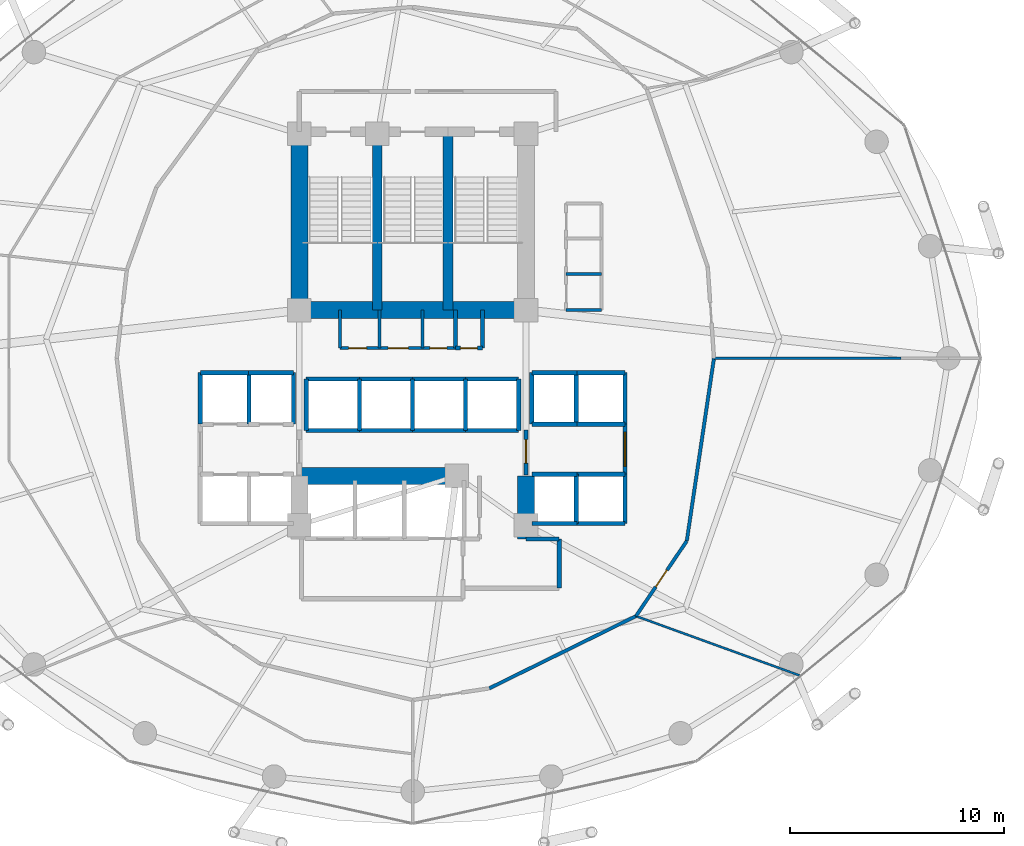
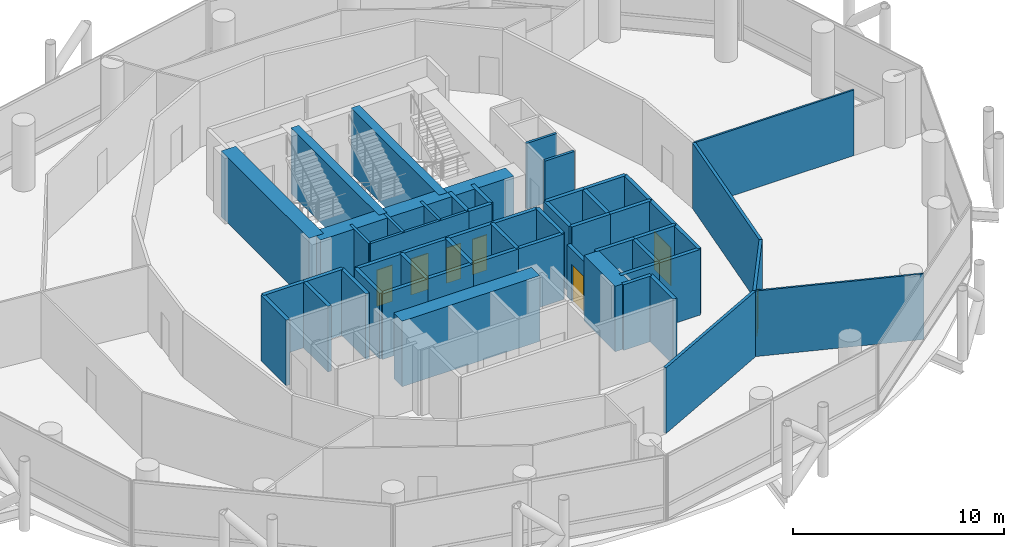
# One storey, part 22 of 25: 55 walls, 7 doors, 7 openings.
"""IFC4 building model written with IfcOpenShell, lengths in metres."""

import ifcopenshell
import ifcopenshell.guid

model = None  # the IFC model being written
_history = None  # IfcOwnerHistory: only IFC2X3 demands one
_inside = {}  # id of a spatial element -> (the spatial element, [elements in it])
_under = {}  # id of a project, library or spatial element -> (it, [spatial elements below it])
_declared = {}  # id of a project -> (the project, [libraries it declares])
_typed = {}  # id of a type object -> (the type object, [elements of that type])
_made_of = {}  # id of a material, layer set ... -> (it, [elements and type objects made of it])


def new_model(schema):
    """Start an empty IFC model of exactly this schema.

    Asked for "IFC4X3", IfcOpenShell would pick the latest addendum, in which some entities
    have other attributes; the version numbers below select the first issue.
    IFC2X3 requires an IfcOwnerHistory on every rooted entity: one is made here for all.
    """
    global model, _history
    if schema == "IFC4X3":
        model = ifcopenshell.file(schema_version=(4, 3, 0, 0))
    else:
        model = ifcopenshell.file(schema=schema)
    _inside.clear()
    _under.clear()
    _declared.clear()
    _typed.clear()
    _made_of.clear()
    _history = None
    if model.schema == "IFC2X3":
        org = make("IfcOrganization", Name="unknown")
        user = make(
            "IfcPersonAndOrganization",
            ThePerson=make("IfcPerson", FamilyName="unknown"),
            TheOrganization=org,
        )
        app = make(
            "IfcApplication",
            ApplicationDeveloper=org,
            Version="unknown",
            ApplicationFullName="unknown",
            ApplicationIdentifier="unknown",
        )
        _history = make(
            "IfcOwnerHistory",
            OwningUser=user,
            OwningApplication=app,
            ChangeAction="ADDED",
            CreationDate=0,
        )
    return model


def make(cls, **values):
    """One entity of the class cls with the attributes given. An attribute that is None is left unset."""
    return model.create_entity(
        cls, **{name: value for name, value in values.items() if value is not None}
    )


def rooted(cls, **values):
    """An entity with a GlobalId (a new one), such as an element, a storey or a relation."""
    return make(cls, GlobalId=ifcopenshell.guid.new(), OwnerHistory=_history, **values)


def si_unit(unit_type, name, prefix=None):
    """IfcSIUnit, for example si_unit("LENGTHUNIT", "METRE", prefix="MILLI")."""
    return make("IfcSIUnit", UnitType=unit_type, Prefix=prefix, Name=name)


def assignment(units):
    """IfcUnitAssignment: the units of a project."""
    return None if units is None else make("IfcUnitAssignment", Units=units)


def point(xyz):
    """IfcCartesianPoint."""
    return None if xyz is None else make("IfcCartesianPoint", Coordinates=xyz)


def direction(xyz):
    """IfcDirection."""
    return None if xyz is None else make("IfcDirection", DirectionRatios=xyz)


def frame(location, z_axis=None, x_axis=None):
    """IfcAxis2Placement3D, a coordinate frame: its origin and axes. An axis left out is left unset."""
    return make(
        "IfcAxis2Placement3D",
        Location=point(location),
        Axis=direction(z_axis),
        RefDirection=direction(x_axis),
    )


def frame_2d(location, x_axis=None):
    """IfcAxis2Placement2D, a coordinate frame in the plane: its origin and x axis."""
    return make(
        "IfcAxis2Placement2D", Location=point(location), RefDirection=direction(x_axis)
    )


def origin():
    """The frame at (0, 0, 0) with its axes left unset."""
    return frame((0.0, 0.0, 0.0))


def place(relative_to, where):
    """IfcLocalPlacement: puts the frame where relative to a parent placement (None: the world)."""
    return make(
        "IfcLocalPlacement", PlacementRelTo=relative_to, RelativePlacement=where
    )


def context(
    kind, dimensions, precision=None, world=None, true_north=None, identifier=None
):
    """IfcGeometricRepresentationContext, for example the 3D "Model" context."""
    return make(
        "IfcGeometricRepresentationContext",
        ContextIdentifier=identifier,
        ContextType=kind,
        CoordinateSpaceDimension=dimensions,
        Precision=precision,
        WorldCoordinateSystem=world,
        TrueNorth=true_north,
    )


def subcontext(parent, identifier, kind, view, scale=None):
    """IfcGeometricRepresentationSubContext, for example "Body" below "Model"."""
    return make(
        "IfcGeometricRepresentationSubContext",
        ContextIdentifier=identifier,
        ContextType=kind,
        ParentContext=parent,
        TargetScale=scale,
        TargetView=view,
    )


def project(units=None, contexts=None):
    """IfcProject with its units and contexts."""
    return rooted(
        "IfcProject",
        Name="project",
        RepresentationContexts=contexts,
        UnitsInContext=assignment(units),
    )


def spatial(cls, under=None, at=None, **own):
    """A site, building, storey or space (cls), placed at a placement, below another one or the project."""
    s = rooted(cls, ObjectPlacement=at, **own)
    if under is not None:
        _under.setdefault(under.id(), (under, []))[1].append(s)
    return s


def profile(cls, at=None, kind="AREA", **sizes):
    """A parametric profile (cls). Its sizes go by their IFC names, for example OverallWidth=200.0."""
    return make(cls, ProfileType=kind, Position=at, **sizes)


def rectangle(**sizes):
    """IfcRectangleProfileDef."""
    return profile("IfcRectangleProfileDef", **sizes)


def extrude(swept, where, along, depth):
    """IfcExtrudedAreaSolid: the profile swept, set in the frame where, extruded along a direction by depth."""
    return make(
        "IfcExtrudedAreaSolid",
        SweptArea=swept,
        Position=where,
        ExtrudedDirection=direction(along),
        Depth=depth,
    )


def shape(context_of_items, identifier, shape_type, items):
    """IfcShapeRepresentation: the items that make up one representation, for example the "Body"."""
    return make(
        "IfcShapeRepresentation",
        ContextOfItems=context_of_items,
        RepresentationIdentifier=identifier,
        RepresentationType=shape_type,
        Items=items,
    )


def material(Name=None, Category=None):
    """IfcMaterial."""
    return make("IfcMaterial", Name=Name, Category=Category)


def layer(
    of_material, thickness, ventilated=None, Name=None, Category=None, Priority=None
):
    """IfcMaterialLayer: one layer of a wall or slab, of a material (None: an air gap)."""
    return make(
        "IfcMaterialLayer",
        Material=of_material,
        LayerThickness=thickness,
        IsVentilated=ventilated,
        Name=Name,
        Category=Category,
        Priority=Priority,
    )


def layer_set(layers, Name=None):
    """IfcMaterialLayerSet."""
    return make("IfcMaterialLayerSet", MaterialLayers=layers, LayerSetName=Name)


def made_of(thing, what):
    """Note that an element or type object is made of a material, layer set ...; save() writes the relation."""
    if what is not None:
        _made_of.setdefault(what.id(), (what, []))[1].append(thing)
    return thing


def type_object(cls, material=None, **own):
    """A type object (cls), such as IfcWallType, which elements share."""
    return made_of(rooted(cls, **own), material)


def element(
    cls,
    number,
    at=None,
    inside=None,
    cuts=None,
    type_object=None,
    material=None,
    context=None,
    identifier="Body",
    shape_type=None,
    held_by="IfcProductDefinitionShape",
    body=None,
    shapes=None,
    **own,
):
    """One element of the class cls, such as IfcWall. Its Tag is "e" and its number.

    at: its placement. inside: the storey or other place that contains it. cuts: it is an
    opening in that element (IfcRelVoidsElement). A single representation is given by context,
    identifier, shape_type and body (its items); several are given by shapes. held_by: the class
    of the entity that holds the representations. save() writes the other relations.
    """
    e = rooted(cls, Tag="e%d" % number, ObjectPlacement=at, **own)
    if body is not None:
        shapes = [shape(context, identifier, shape_type, body)]
    if shapes is not None:
        e.Representation = make(held_by, Representations=shapes)
    if inside is not None:
        _inside.setdefault(inside.id(), (inside, []))[1].append(e)
    if cuts is not None:
        rooted(
            "IfcRelVoidsElement", RelatingBuildingElement=cuts, RelatedOpeningElement=e
        )
    if type_object is not None:
        _typed.setdefault(type_object.id(), (type_object, []))[1].append(e)
    return made_of(e, material)


def fill(opening, filler):
    """IfcRelFillsElement: the door or window that sits in an opening."""
    return rooted(
        "IfcRelFillsElement",
        RelatingOpeningElement=opening,
        RelatedBuildingElement=filler,
    )


def aggregate(whole, parts):
    """IfcRelAggregates: a whole, such as a stair, and the parts it consists of."""
    return rooted("IfcRelAggregates", RelatingObject=whole, RelatedObjects=parts)


def save(model, path):
    """Write the relations noted so far, then the file.

    IfcRelAggregates (storeys below a building ...), IfcRelContainedInSpatialStructure (elements
    in a storey), IfcRelDefinesByType, IfcRelAssociatesMaterial and IfcRelDeclares: one each for
    every whole, place, type object, material and project.
    """
    for whole, parts in _under.values():
        aggregate(whole, parts)
    for where, things in _inside.values():
        rooted(
            "IfcRelContainedInSpatialStructure",
            RelatedElements=things,
            RelatingStructure=where,
        )
    for kind, things in _typed.values():
        rooted("IfcRelDefinesByType", RelatedObjects=things, RelatingType=kind)
    for what, things in _made_of.values():
        rooted("IfcRelAssociatesMaterial", RelatedObjects=things, RelatingMaterial=what)
    for by, libraries in _declared.values():
        rooted("IfcRelDeclares", RelatingContext=by, RelatedDefinitions=libraries)
    model.write(path)


model = new_model("IFC4")

# Units and contexts
model_context = context("Model", 3, precision=1e-05, world=origin(), true_north=direction((0.0, 1.0)))
body_context = subcontext(model_context, "Body", "Model", "MODEL_VIEW")
ifc_project = project(units=[si_unit("LENGTHUNIT", "METRE"), si_unit("AREAUNIT", "SQUARE_METRE"), si_unit("VOLUMEUNIT", "CUBIC_METRE"), si_unit("PLANEANGLEUNIT", "RADIAN"), si_unit("MASSUNIT", "GRAM", prefix="KILO")], contexts=[model_context])

# Site, building, storey
site_placement = place(None, origin())
site = spatial("IfcSite", under=ifc_project, at=site_placement, CompositionType="ELEMENT")
building_placement = place(site_placement, origin())
building = spatial("IfcBuilding", under=site, at=building_placement, Name="Nuhasar Tower", CompositionType="ELEMENT")
storey_placement = place(building_placement, frame((0.0, 0.0, 61.5)))
storey = spatial("IfcBuildingStorey", under=building, at=storey_placement, Name="L14", CompositionType="ELEMENT", Elevation=61.5)

# Walls
ifc_material_1 = material(Name="Concrete C50/60", Category="concrete")
ifc_layer_1 = layer(ifc_material_1, 0.449951171875)
ifc_layer_set_1 = layer_set([ifc_layer_1], Name="Concrete C50/60")
wall_type_1 = type_object("IfcWallType", Name="WL-CORE-450", PredefinedType="SHEAR", material=ifc_layer_set_1)
for number, where, z_axis, x_axis, name in (
    (1, (37.35009765625, 29.050048828125, 0.0), (0.0, 0.0, 1.0), (0.0, 1.0, 0.0), "L14 Stairwell Shear Wall ST01-E"),
    (2, (40.64990234375, 29.050048828125, 0.0), (0.0, 0.0, 1.0), (0.0, 1.0, 0.0), "L14 Stairwell Shear Wall ST03-E"),
):
    element("IfcWall", number, at=place(storey_placement, frame(where, z_axis=z_axis, x_axis=x_axis)), inside=storey, type_object=wall_type_1, Name=name, PredefinedType="SHEAR", context=body_context, shape_type="SweptSolid", body=[
        extrude(rectangle(XDim=8.349853515625, YDim=0.449951171875, at=frame_2d((4.1748046875, 0.0))), origin(), (0.0, 0.0, 1.0), 3.800048828125),
    ])
ifc_material_2 = material(Name="Concrete C80/95", Category="concrete")
ifc_layer_2 = layer(ifc_material_2, 0.800048828125)
ifc_layer_set_2 = layer_set([ifc_layer_2], Name="Concrete C80/95")
wall_type_2 = type_object("IfcWallType", Name="WL-CORE-800", PredefinedType="SHEAR", material=ifc_layer_set_2)
wall_1_placement = place(storey_placement, frame((33.699951171875, 29.050048828125, 0.0), z_axis=(0.0, 0.0, 1.0), x_axis=(0.0, 1.0, 0.0)))
element("IfcWall", 3, at=wall_1_placement, inside=storey, type_object=wall_type_2, Name="L14 Core Shear Wall CW-NW CW-800", PredefinedType="SHEAR", context=body_context, shape_type="SweptSolid", body=[
    extrude(rectangle(XDim=8.349853515625, YDim=0.800048828125, at=frame_2d((4.1748046875, 0.0))), origin(), (0.0, 0.0, 1.0), 3.800048828125),
])
wall_2_placement = place(storey_placement, frame((44.300048828125, 18.35009765625, 0.0), z_axis=(0.0, 0.0, 1.0), x_axis=(0.0, 1.0, 0.0)))
element("IfcWall", 4, at=wall_2_placement, inside=storey, type_object=wall_type_2, Name="L14 Core Shear Wall CW-SE CW-800", PredefinedType="SHEAR", context=body_context, shape_type="SweptSolid", body=[
    extrude(rectangle(XDim=2.949951171875, YDim=0.800048828125, at=frame_2d((1.47509765625, 0.0))), origin(), (0.0, 0.0, 1.0), 3.800048828125),
])
wall_3_placement = place(storey_placement, frame((33.699951171875, 29.050048828125, 0.0), z_axis=(0.0, 0.0, 1.0), x_axis=(1.0, 0.0, 0.0)))
element("IfcWall", 5, at=wall_3_placement, inside=storey, type_object=wall_type_2, Name="L14 Core Shear Wall CW-N1 CW-800", PredefinedType="SHEAR", context=body_context, shape_type="SweptSolid", body=[
    extrude(rectangle(XDim=10.60009765625, YDim=0.800048828125, at=frame_2d((5.300048828125, 0.0))), origin(), (0.0, 0.0, 1.0), 3.800048828125),
])
wall_4_placement = place(storey_placement, frame((33.699951171875, 21.300048828125, 0.0), z_axis=(0.0, 0.0, 1.0), x_axis=(1.0, 0.0, 0.0)))
element("IfcWall", 6, at=wall_4_placement, inside=storey, type_object=wall_type_2, Name="L14 Core Shear Wall CW-S1 CW-800", PredefinedType="SHEAR", context=body_context, shape_type="SweptSolid", body=[
    extrude(rectangle(XDim=7.550048828125, YDim=0.800048828125, at=frame_2d((3.77490234375, 0.0))), origin(), (0.0, 0.0, 1.0), 3.800048828125),
])
ifc_material_3 = material(Name="Gypsum Board", Category="gypsum")
ifc_layer_3 = layer(ifc_material_3, 0.159912109375)
ifc_layer_set_3 = layer_set([ifc_layer_3], Name="Gypsum Board")
wall_type_3 = type_object("IfcWallType", Name="WL-CORR-160", PredefinedType="PARTITIONING", material=ifc_layer_set_3)
wall_5_placement = place(storey_placement, frame((42.58203125, 11.364990234375, 0.0), z_axis=(0.0, 0.0, 1.0), x_axis=(0.897055406153, 0.441918090025, 0.0)))
element("IfcWall", 7, at=wall_5_placement, inside=storey, type_object=wall_type_3, Name="L14 Interior Partition CORR-38", PredefinedType="PARTITIONING", context=body_context, shape_type="SweptSolid", body=[
    extrude(rectangle(XDim=7.64599609375, YDim=0.159912109375, at=frame_2d((3.822998046875, 0.0))), origin(), (0.0, 0.0, 1.0), 3.800048828125),
])

# Wall, opening, door
wall_6_placement = place(storey_placement, frame((51.818115234375, 18.2548828125, 0.0), z_axis=(0.0, 0.0, 1.0), x_axis=(-0.560652063277, -0.828051486288, 0.0)))
wall_6 = element("IfcWall", 8, at=wall_6_placement, inside=storey, type_object=wall_type_3, Name="L14 Interior Partition CORR-42", PredefinedType="PARTITIONING", context=body_context, shape_type="SweptSolid", body=[
    extrude(rectangle(XDim=4.239990234375, YDim=0.159912109375, at=frame_2d((2.1201171875, 0.0))), origin(), (0.0, 0.0, 1.0), 3.800048828125),
])
opening_1_placement = place(wall_6_placement, frame((1.64501953125, 0.0, 0.0)))
opening_1 = element("IfcOpeningElement", 9, at=opening_1_placement, cuts=wall_6, Name="Opening DO-01", PredefinedType="OPENING", context=body_context, shape_type="SweptSolid", body=[
    extrude(rectangle(XDim=0.949951171875, YDim=2.14990234375, at=frame_2d((0.47509765625, 1.074951171875))), frame((0.0, 0.08984375, 0.0), z_axis=(0.0, -1.0, 0.0), x_axis=(1.0, 0.0, 0.0)), (0.0, 0.0, 1.0), 0.179931640625),
])
ifc_material_4 = material(Name="Timber Oak", Category="wood")
door_type_1 = type_object("IfcDoorType", Name="DR-OFFICE-FD30-950", OperationType="NOTDEFINED", PredefinedType="DOOR", material=ifc_material_4)
door_1_placement = place(opening_1_placement, origin())
door_1 = element("IfcDoor", 10, at=door_1_placement, inside=storey, type_object=door_type_1, Name="L14 Analytics Co-Working Hall Entry Door", OperationType="SINGLE_SWING_RIGHT", OverallHeight=2.14990234375, OverallWidth=0.949951171875, PredefinedType="DOOR", context=body_context, shape_type="SweptSolid", body=[
    extrude(rectangle(XDim=0.949951171875, YDim=2.14990234375, at=frame_2d((0.47509765625, 1.074951171875))), frame((0.0, 0.02490234375, 0.0), z_axis=(0.0, -1.0, 0.0), x_axis=(1.0, 0.0, 0.0)), (0.0, 0.0, 1.0), 0.050048828125),
])
fill(opening_1, door_1)

# Wall
wall_7_placement = place(storey_placement, frame((51.818115234375, 18.2548828125, 0.0), z_axis=(0.0, 0.0, 1.0), x_axis=(0.147230717418, 0.989102176647, 0.0)))
element("IfcWall", 11, at=wall_7_placement, inside=storey, type_object=wall_type_3, Name="L14 Interior Partition CORR-44", PredefinedType="PARTITIONING", context=body_context, shape_type="SweptSolid", body=[
    extrude(rectangle(XDim=8.639404296875, YDim=0.159912109375, at=frame_2d((4.31982421875, 0.0))), origin(), (0.0, 0.0, 1.0), 3.800048828125),
])

# Wall, opening, door
ifc_material_5 = material(Name="Concrete C45/55", Category="concrete")
ifc_layer_4 = layer(ifc_material_5, 0.199951171875)
ifc_layer_set_4 = layer_set([ifc_layer_4], Name="Concrete C45/55")
wall_type_4 = type_object("IfcWallType", Name="WL-LOBBY-200", PredefinedType="SOLIDWALL", material=ifc_layer_set_4)
wall_8_placement = place(storey_placement, frame((48.929931640625, 21.3798828125, 0.0), z_axis=(0.0, 0.0, 1.0), x_axis=(0.0, 1.0, 0.0)))
wall_8 = element("IfcWall", 12, at=wall_8_placement, inside=storey, type_object=wall_type_4, Name="L14 Interior Partition LLBM-E", PredefinedType="SOLIDWALL", context=body_context, shape_type="SweptSolid", body=[
    extrude(rectangle(XDim=2.340087890625, YDim=0.199951171875, at=frame_2d((1.169921875, 0.0))), origin(), (0.0, 0.0, 1.0), 3.800048828125),
])
opening_2_placement = place(wall_8_placement, frame((0.3701171875, 0.0, 0.0)))
opening_2 = element("IfcOpeningElement", 13, at=opening_2_placement, cuts=wall_8, Name="Opening DC-01", PredefinedType="OPENING", context=body_context, shape_type="SweptSolid", body=[
    extrude(rectangle(XDim=1.60009765625, YDim=2.199951171875, at=frame_2d((0.800048828125, 1.10009765625))), frame((0.0, 0.10986328125, 0.0), z_axis=(0.0, -1.0, 0.0), x_axis=(1.0, 0.0, 0.0)), (0.0, 0.0, 1.0), 0.219970703125),
])
ifc_material_6 = material(Name="Steel S355", Category="steel")
door_type_2 = type_object("IfcDoorType", Name="DR-CORR-FD60-1600", OperationType="DOUBLE_DOOR_SINGLE_SWING", PredefinedType="DOOR", material=ifc_material_6)
door_2_placement = place(opening_2_placement, origin())
door_2 = element("IfcDoor", 14, at=door_2_placement, inside=storey, type_object=door_type_2, Name="L14 Mid-Rise Lift Lobby East Entry", OperationType="DOUBLE_DOOR_SINGLE_SWING", OverallHeight=2.199951171875, OverallWidth=1.60009765625, PredefinedType="DOOR", context=body_context, shape_type="SweptSolid", body=[
    extrude(rectangle(XDim=1.60009765625, YDim=2.199951171875, at=frame_2d((0.800048828125, 1.10009765625))), frame((0.0, 0.02490234375, 0.0), z_axis=(0.0, -1.0, 0.0), x_axis=(1.0, 0.0, 0.0)), (0.0, 0.0, 1.0), 0.050048828125),
])
fill(opening_2, door_2)

wall_9_placement = place(storey_placement, frame((44.300048828125, 21.35009765625, 0.0), z_axis=(0.0, 0.0, 1.0), x_axis=(0.0, 1.0, 0.0)))
wall_9 = element("IfcWall", 15, at=wall_9_placement, inside=storey, type_object=wall_type_4, Name="L14 Interior Partition LLBH-E", PredefinedType="SOLIDWALL", context=body_context, shape_type="SweptSolid", body=[
    extrude(rectangle(XDim=2.099853515625, YDim=0.199951171875, at=frame_2d((1.0498046875, 0.0))), origin(), (0.0, 0.0, 1.0), 3.02001953125),
])
opening_3_placement = place(wall_9_placement, frame((0.550048828125, 0.0, 0.0)))
opening_3 = element("IfcOpeningElement", 16, at=opening_3_placement, cuts=wall_9, Name="Opening DS-02", PredefinedType="OPENING", context=body_context, shape_type="SweptSolid", body=[
    extrude(rectangle(XDim=1.10009765625, YDim=2.14990234375, at=frame_2d((0.550048828125, 1.074951171875))), frame((0.0, 0.10986328125, 0.0), z_axis=(0.0, -1.0, 0.0), x_axis=(1.0, 0.0, 0.0)), (0.0, 0.0, 1.0), 0.219970703125),
])
door_type_3 = type_object("IfcDoorType", Name="DR-FFL-FD120-1100", OperationType="NOTDEFINED", PredefinedType="DOOR", material=ifc_material_6)
door_3_placement = place(opening_3_placement, origin())
door_3 = element("IfcDoor", 17, at=door_3_placement, inside=storey, type_object=door_type_3, Name="L14 High-Rise Lobby East Door", OperationType="SINGLE_SWING_RIGHT", OverallHeight=2.14990234375, OverallWidth=1.10009765625, PredefinedType="DOOR", context=body_context, shape_type="SweptSolid", body=[
    extrude(rectangle(XDim=1.10009765625, YDim=2.14990234375, at=frame_2d((0.550048828125, 1.074951171875))), frame((0.0, 0.02490234375, 0.0), z_axis=(0.0, -1.0, 0.0), x_axis=(1.0, 0.0, 0.0)), (0.0, 0.0, 1.0), 0.050048828125),
])
fill(opening_3, door_3)

# Walls
wall_10_placement = place(storey_placement, frame((45.85009765625, 16.050048828125, 0.0), z_axis=(0.0, 0.0, 1.0), x_axis=(0.0, 1.0, 0.0)))
element("IfcWall", 18, at=wall_10_placement, inside=storey, type_object=wall_type_4, Name="L14 Interior Partition SVLV-E", PredefinedType="SOLIDWALL", context=body_context, shape_type="SweptSolid", body=[
    extrude(rectangle(XDim=2.300048828125, YDim=0.199951171875, at=frame_2d((1.14990234375, 0.0))), origin(), (0.0, 0.0, 1.0), 3.800048828125),
])
wall_11_placement = place(storey_placement, frame((44.300048828125, 18.35009765625, 0.0), z_axis=(0.0, 0.0, 1.0), x_axis=(1.0, 0.0, 0.0)))
element("IfcWall", 19, at=wall_11_placement, inside=storey, type_object=wall_type_4, Name="L14 Interior Partition SVLV-N", PredefinedType="SOLIDWALL", context=body_context, shape_type="SweptSolid", body=[
    extrude(rectangle(XDim=1.550048828125, YDim=0.199951171875, at=frame_2d((0.77490234375, 0.0))), origin(), (0.0, 0.0, 1.0), 3.800048828125),
])
ifc_material_7 = material(Name="Aluminium 6063-T6", Category="aluminium")
ifc_layer_5 = layer(ifc_material_7, 0.10009765625)
ifc_layer_set_5 = layer_set([ifc_layer_5], Name="Aluminium 6063-T6")
wall_type_5 = type_object("IfcWallType", Name="WL-MOVABLE-100", PredefinedType="MOVABLE", material=ifc_layer_set_5)
wall_12_placement = place(storey_placement, frame((53.090087890625, 26.800048828125, 0.0), z_axis=(0.0, 0.0, 1.0), x_axis=(1.0, 0.0, 0.0)))
element("IfcWall", 20, at=wall_12_placement, inside=storey, type_object=wall_type_5, Name="L14 Interior Partition ORAD-00", PredefinedType="MOVABLE", context=body_context, shape_type="SweptSolid", body=[
    extrude(rectangle(XDim=8.75, YDim=0.10009765625, at=frame_2d((4.375, 0.0))), origin(), (0.0, 0.0, 1.0), 3.800048828125),
])
wall_13_placement = place(storey_placement, frame((49.44091796875, 14.743896484375, 0.0), z_axis=(0.0, 0.0, 1.0), x_axis=(0.940120376518, -0.340842599533, 0.0)))
element("IfcWall", 21, at=wall_13_placement, inside=storey, type_object=wall_type_5, Name="L14 Interior Partition ORAD-42", PredefinedType="MOVABLE", context=body_context, shape_type="SweptSolid", body=[
    extrude(rectangle(XDim=8.1650390625, YDim=0.10009765625, at=frame_2d((4.08251953125, 0.0))), origin(), (0.0, 0.0, 1.0), 3.800048828125),
])
ifc_layer_6 = layer(ifc_material_5, 0.199951171875)
ifc_layer_set_6 = layer_set([ifc_layer_6], Name="Concrete C45/55")
wall_type_6 = type_object("IfcWallType", Name="WL-SHAFT-200", PredefinedType="SOLIDWALL", material=ifc_layer_set_6)
for number, where, z_axis, x_axis, name in (
    (22, (41.0, 27.280029296875, 0.0), (0.0, 0.0, 1.0), (0.0, 1.0, 0.0), "L14 Interior Partition RSRN-W"),
    (23, (42.260009765625, 27.280029296875, 0.0), (0.0, 0.0, 1.0), (0.0, 1.0, 0.0), "L14 Interior Partition RSRN-E"),
):
    element("IfcWall", number, at=place(storey_placement, frame(where, z_axis=z_axis, x_axis=x_axis)), inside=storey, type_object=wall_type_6, Name=name, PredefinedType="SOLIDWALL", context=body_context, shape_type="SweptSolid", body=[
        extrude(rectangle(XDim=1.77001953125, YDim=0.199951171875, at=frame_2d((0.885009765625, 0.0))), origin(), (0.0, 0.0, 1.0), 3.800048828125),
    ])

# Wall, opening, door
wall_14_placement = place(storey_placement, frame((41.0, 27.280029296875, 0.0), z_axis=(0.0, 0.0, 1.0), x_axis=(1.0, 0.0, 0.0)))
wall_14 = element("IfcWall", 24, at=wall_14_placement, inside=storey, type_object=wall_type_6, Name="L14 Interior Partition RSRN-S", PredefinedType="SOLIDWALL", context=body_context, shape_type="SweptSolid", body=[
    extrude(rectangle(XDim=1.260009765625, YDim=0.199951171875, at=frame_2d((0.6298828125, 0.0))), origin(), (0.0, 0.0, 1.0), 3.800048828125),
])
opening_4_placement = place(wall_14_placement, frame((0.22998046875, 0.0, 0.0)))
opening_4 = element("IfcOpeningElement", 25, at=opening_4_placement, cuts=wall_14, Name="Opening DM-01", PredefinedType="OPENING", context=body_context, shape_type="SweptSolid", body=[
    extrude(rectangle(XDim=0.800048828125, YDim=2.050048828125, at=frame_2d((0.39990234375, 1.02490234375))), frame((0.0, 0.10986328125, 0.0), z_axis=(0.0, -1.0, 0.0), x_axis=(1.0, 0.0, 0.0)), (0.0, 0.0, 1.0), 0.219970703125),
])
door_type_4 = type_object("IfcDoorType", Name="DR-RISER-FD60-800", OperationType="NOTDEFINED", PredefinedType="DOOR", material=ifc_material_6)
door_4_placement = place(opening_4_placement, origin())
door_4 = element("IfcDoor", 26, at=door_4_placement, inside=storey, type_object=door_type_4, Name="L14 North Smoke Riser Door", OperationType="SINGLE_SWING_RIGHT", OverallHeight=2.050048828125, OverallWidth=0.800048828125, PredefinedType="DOOR", context=body_context, shape_type="SweptSolid", body=[
    extrude(rectangle(XDim=0.800048828125, YDim=2.050048828125, at=frame_2d((0.39990234375, 1.02490234375))), frame((0.0, 0.02490234375, 0.0), z_axis=(0.0, -1.0, 0.0), x_axis=(1.0, 0.0, 0.0)), (0.0, 0.0, 1.0), 0.050048828125),
])
fill(opening_4, door_4)

# Walls
wall_15_placement = place(storey_placement, frame((29.070068359375, 26.1298828125, 0.0), z_axis=(0.0, 0.0, 1.0), x_axis=(1.0, 0.0, 0.0)))
element("IfcWall", 27, at=wall_15_placement, inside=storey, type_object=wall_type_6, Name="L14 Interior Partition SHF-PL-L01-N", PredefinedType="SOLIDWALL", context=body_context, shape_type="SweptSolid", body=[
    extrude(rectangle(XDim=2.309814453125, YDim=0.199951171875, at=frame_2d((1.15478515625, 0.0))), origin(), (0.0, 0.0, 1.0), 3.800048828125),
])
for number, where, z_axis, x_axis, name in (
    (28, (29.070068359375, 23.719970703125, 0.0), (0.0, 0.0, 1.0), (0.0, 1.0, 0.0), "L14 Interior Partition SHF-PL-L01-W"),
    (29, (31.35009765625, 23.719970703125, 0.0), (0.0, 0.0, 1.0), (0.0, 1.0, 0.0), "L14 Interior Partition SHF-PL-L01-E"),
):
    element("IfcWall", number, at=place(storey_placement, frame(where, z_axis=z_axis, x_axis=x_axis)), inside=storey, type_object=wall_type_6, Name=name, PredefinedType="SOLIDWALL", context=body_context, shape_type="SweptSolid", body=[
        extrude(rectangle(XDim=2.409912109375, YDim=0.199951171875, at=frame_2d((1.205078125, 0.0))), origin(), (0.0, 0.0, 1.0), 3.800048828125),
    ])
wall_16_placement = place(storey_placement, frame((31.320068359375, 26.1298828125, 0.0), z_axis=(0.0, 0.0, 1.0), x_axis=(1.0, 0.0, 0.0)))
element("IfcWall", 30, at=wall_16_placement, inside=storey, type_object=wall_type_6, Name="L14 Interior Partition SHF-PL-L02-N", PredefinedType="SOLIDWALL", context=body_context, shape_type="SweptSolid", body=[
    extrude(rectangle(XDim=2.10986328125, YDim=0.199951171875, at=frame_2d((1.054931640625, 0.0))), origin(), (0.0, 0.0, 1.0), 3.800048828125),
])
wall_17_placement = place(storey_placement, frame((33.429931640625, 23.719970703125, 0.0), z_axis=(0.0, 0.0, 1.0), x_axis=(0.0, 1.0, 0.0)))
element("IfcWall", 31, at=wall_17_placement, inside=storey, type_object=wall_type_6, Name="L14 Interior Partition SHF-PL-L02-E", PredefinedType="SOLIDWALL", context=body_context, shape_type="SweptSolid", body=[
    extrude(rectangle(XDim=2.409912109375, YDim=0.199951171875, at=frame_2d((1.205078125, 0.0))), origin(), (0.0, 0.0, 1.0), 3.800048828125),
])
for number, where, z_axis, x_axis, name in (
    (32, (44.570068359375, 23.719970703125, 0.0), (0.0, 0.0, 1.0), (1.0, 0.0, 0.0), "L14 Interior Partition SHF-PL-M01-S"),
    (33, (44.570068359375, 26.1298828125, 0.0), (0.0, 0.0, 1.0), (1.0, 0.0, 0.0), "L14 Interior Partition SHF-PL-M01-N"),
):
    element("IfcWall", number, at=place(storey_placement, frame(where, z_axis=z_axis, x_axis=x_axis)), inside=storey, type_object=wall_type_6, Name=name, PredefinedType="SOLIDWALL", context=body_context, shape_type="SweptSolid", body=[
        extrude(rectangle(XDim=2.10986328125, YDim=0.199951171875, at=frame_2d((1.054931640625, 0.0))), origin(), (0.0, 0.0, 1.0), 3.800048828125),
    ])
for number, where, z_axis, x_axis, name in (
    (34, (44.570068359375, 23.719970703125, 0.0), (0.0, 0.0, 1.0), (0.0, 1.0, 0.0), "L14 Interior Partition SHF-PL-M01-W"),
    (35, (46.64990234375, 23.719970703125, 0.0), (0.0, 0.0, 1.0), (0.0, 1.0, 0.0), "L14 Interior Partition SHF-PL-M01-E"),
):
    element("IfcWall", number, at=place(storey_placement, frame(where, z_axis=z_axis, x_axis=x_axis)), inside=storey, type_object=wall_type_6, Name=name, PredefinedType="SOLIDWALL", context=body_context, shape_type="SweptSolid", body=[
        extrude(rectangle(XDim=2.409912109375, YDim=0.199951171875, at=frame_2d((1.205078125, 0.0))), origin(), (0.0, 0.0, 1.0), 3.800048828125),
    ])
for number, where, z_axis, x_axis, name in (
    (36, (46.6201171875, 23.719970703125, 0.0), (0.0, 0.0, 1.0), (1.0, 0.0, 0.0), "L14 Interior Partition SHF-PL-M02-S"),
    (37, (46.6201171875, 26.1298828125, 0.0), (0.0, 0.0, 1.0), (1.0, 0.0, 0.0), "L14 Interior Partition SHF-PL-M02-N"),
):
    element("IfcWall", number, at=place(storey_placement, frame(where, z_axis=z_axis, x_axis=x_axis)), inside=storey, type_object=wall_type_6, Name=name, PredefinedType="SOLIDWALL", context=body_context, shape_type="SweptSolid", body=[
        extrude(rectangle(XDim=2.309814453125, YDim=0.199951171875, at=frame_2d((1.15478515625, 0.0))), origin(), (0.0, 0.0, 1.0), 3.800048828125),
    ])
wall_18_placement = place(storey_placement, frame((48.929931640625, 23.719970703125, 0.0), z_axis=(0.0, 0.0, 1.0), x_axis=(0.0, 1.0, 0.0)))
element("IfcWall", 38, at=wall_18_placement, inside=storey, type_object=wall_type_6, Name="L14 Interior Partition SHF-PL-M02-E", PredefinedType="SOLIDWALL", context=body_context, shape_type="SweptSolid", body=[
    extrude(rectangle(XDim=2.409912109375, YDim=0.199951171875, at=frame_2d((1.205078125, 0.0))), origin(), (0.0, 0.0, 1.0), 3.800048828125),
])
for number, where, z_axis, x_axis, name in (
    (39, (44.570068359375, 19.070068359375, 0.0), (0.0, 0.0, 1.0), (1.0, 0.0, 0.0), "L14 Interior Partition SHF-PL-M03-S"),
    (40, (44.570068359375, 21.3798828125, 0.0), (0.0, 0.0, 1.0), (1.0, 0.0, 0.0), "L14 Interior Partition SHF-PL-M03-N"),
):
    element("IfcWall", number, at=place(storey_placement, frame(where, z_axis=z_axis, x_axis=x_axis)), inside=storey, type_object=wall_type_6, Name=name, PredefinedType="SOLIDWALL", context=body_context, shape_type="SweptSolid", body=[
        extrude(rectangle(XDim=2.10986328125, YDim=0.199951171875, at=frame_2d((1.054931640625, 0.0))), origin(), (0.0, 0.0, 1.0), 3.800048828125),
    ])
for number, where, z_axis, x_axis, name in (
    (41, (46.64990234375, 19.070068359375, 0.0), (0.0, 0.0, 1.0), (0.0, 1.0, 0.0), "L14 Interior Partition SHF-PL-M03-E"),
    (42, (46.6201171875, 19.070068359375, 0.0), (0.0, 0.0, 1.0), (1.0, 0.0, 0.0), "L14 Interior Partition SHF-PL-M04-S"),
    (43, (46.6201171875, 21.3798828125, 0.0), (0.0, 0.0, 1.0), (1.0, 0.0, 0.0), "L14 Interior Partition SHF-PL-M04-N"),
    (44, (48.929931640625, 19.070068359375, 0.0), (0.0, 0.0, 1.0), (0.0, 1.0, 0.0), "L14 Interior Partition SHF-PL-M04-E"),
):
    element("IfcWall", number, at=place(storey_placement, frame(where, z_axis=z_axis, x_axis=x_axis)), inside=storey, type_object=wall_type_6, Name=name, PredefinedType="SOLIDWALL", context=body_context, shape_type="SweptSolid", body=[
        extrude(rectangle(XDim=2.309814453125, YDim=0.199951171875, at=frame_2d((1.15478515625, 0.0))), origin(), (0.0, 0.0, 1.0), 3.800048828125),
    ])
for number, where, z_axis, x_axis, name in (
    (45, (34.02001953125, 23.419921875, 0.0), (0.0, 0.0, 1.0), (1.0, 0.0, 0.0), "L14 Interior Partition SHF-PL-H01-S"),
    (46, (34.02001953125, 25.830078125, 0.0), (0.0, 0.0, 1.0), (1.0, 0.0, 0.0), "L14 Interior Partition SHF-PL-H01-N"),
):
    element("IfcWall", number, at=place(storey_placement, frame(where, z_axis=z_axis, x_axis=x_axis)), inside=storey, type_object=wall_type_6, Name=name, PredefinedType="SOLIDWALL", context=body_context, shape_type="SweptSolid", body=[
        extrude(rectangle(XDim=2.5, YDim=0.199951171875, at=frame_2d((1.25, 0.0))), origin(), (0.0, 0.0, 1.0), 3.800048828125),
    ])
for number, where, z_axis, x_axis, name in (
    (47, (34.02001953125, 23.419921875, 0.0), (0.0, 0.0, 1.0), (0.0, 1.0, 0.0), "L14 Interior Partition SHF-PL-H01-W"),
    (48, (36.510009765625, 23.419921875, 0.0), (0.0, 0.0, 1.0), (0.0, 1.0, 0.0), "L14 Interior Partition SHF-PL-H01-E"),
):
    element("IfcWall", number, at=place(storey_placement, frame(where, z_axis=z_axis, x_axis=x_axis)), inside=storey, type_object=wall_type_6, Name=name, PredefinedType="SOLIDWALL", context=body_context, shape_type="SweptSolid", body=[
        extrude(rectangle(XDim=2.41015625, YDim=0.199951171875, at=frame_2d((1.205078125, 0.0))), origin(), (0.0, 0.0, 1.0), 3.800048828125),
    ])
for number, where, z_axis, x_axis, name in (
    (49, (36.5, 23.419921875, 0.0), (0.0, 0.0, 1.0), (1.0, 0.0, 0.0), "L14 Interior Partition SHF-PL-H02-S"),
    (50, (36.5, 25.830078125, 0.0), (0.0, 0.0, 1.0), (1.0, 0.0, 0.0), "L14 Interior Partition SHF-PL-H02-N"),
):
    element("IfcWall", number, at=place(storey_placement, frame(where, z_axis=z_axis, x_axis=x_axis)), inside=storey, type_object=wall_type_6, Name=name, PredefinedType="SOLIDWALL", context=body_context, shape_type="SweptSolid", body=[
        extrude(rectangle(XDim=2.5, YDim=0.199951171875, at=frame_2d((1.25, 0.0))), origin(), (0.0, 0.0, 1.0), 3.800048828125),
    ])
wall_19_placement = place(storey_placement, frame((38.989990234375, 23.419921875, 0.0), z_axis=(0.0, 0.0, 1.0), x_axis=(0.0, 1.0, 0.0)))
element("IfcWall", 51, at=wall_19_placement, inside=storey, type_object=wall_type_6, Name="L14 Interior Partition SHF-PL-H02-E", PredefinedType="SOLIDWALL", context=body_context, shape_type="SweptSolid", body=[
    extrude(rectangle(XDim=2.41015625, YDim=0.199951171875, at=frame_2d((1.205078125, 0.0))), origin(), (0.0, 0.0, 1.0), 3.800048828125),
])
for number, where, z_axis, x_axis, name in (
    (52, (38.97998046875, 23.419921875, 0.0), (0.0, 0.0, 1.0), (1.0, 0.0, 0.0), "L14 Interior Partition SHF-PL-H03-S"),
    (53, (38.97998046875, 25.830078125, 0.0), (0.0, 0.0, 1.0), (1.0, 0.0, 0.0), "L14 Interior Partition SHF-PL-H03-N"),
):
    element("IfcWall", number, at=place(storey_placement, frame(where, z_axis=z_axis, x_axis=x_axis)), inside=storey, type_object=wall_type_6, Name=name, PredefinedType="SOLIDWALL", context=body_context, shape_type="SweptSolid", body=[
        extrude(rectangle(XDim=2.5, YDim=0.199951171875, at=frame_2d((1.25, 0.0))), origin(), (0.0, 0.0, 1.0), 3.800048828125),
    ])
wall_20_placement = place(storey_placement, frame((41.469970703125, 23.419921875, 0.0), z_axis=(0.0, 0.0, 1.0), x_axis=(0.0, 1.0, 0.0)))
element("IfcWall", 54, at=wall_20_placement, inside=storey, type_object=wall_type_6, Name="L14 Interior Partition SHF-PL-H03-E", PredefinedType="SOLIDWALL", context=body_context, shape_type="SweptSolid", body=[
    extrude(rectangle(XDim=2.41015625, YDim=0.199951171875, at=frame_2d((1.205078125, 0.0))), origin(), (0.0, 0.0, 1.0), 3.800048828125),
])
for number, where, z_axis, x_axis, name in (
    (55, (41.4599609375, 23.419921875, 0.0), (0.0, 0.0, 1.0), (1.0, 0.0, 0.0), "L14 Interior Partition SHF-PL-H04-S"),
    (56, (41.4599609375, 25.830078125, 0.0), (0.0, 0.0, 1.0), (1.0, 0.0, 0.0), "L14 Interior Partition SHF-PL-H04-N"),
):
    element("IfcWall", number, at=place(storey_placement, frame(where, z_axis=z_axis, x_axis=x_axis)), inside=storey, type_object=wall_type_6, Name=name, PredefinedType="SOLIDWALL", context=body_context, shape_type="SweptSolid", body=[
        extrude(rectangle(XDim=2.5, YDim=0.199951171875, at=frame_2d((1.25, 0.0))), origin(), (0.0, 0.0, 1.0), 3.800048828125),
    ])
wall_21_placement = place(storey_placement, frame((43.9599609375, 23.419921875, 0.0), z_axis=(0.0, 0.0, 1.0), x_axis=(0.0, 1.0, 0.0)))
element("IfcWall", 57, at=wall_21_placement, inside=storey, type_object=wall_type_6, Name="L14 Interior Partition SHF-PL-H04-E", PredefinedType="SOLIDWALL", context=body_context, shape_type="SweptSolid", body=[
    extrude(rectangle(XDim=2.41015625, YDim=0.199951171875, at=frame_2d((1.205078125, 0.0))), origin(), (0.0, 0.0, 1.0), 3.800048828125),
])
ifc_material_8 = material(Name="Concrete C40/50 precast", Category="concrete")
ifc_layer_7 = layer(ifc_material_8, 0.139892578125)
ifc_layer_set_7 = layer_set([ifc_layer_7], Name="Concrete C40/50 precast")
wall_type_7 = type_object("IfcWallType", Name="WL-WET-140", PredefinedType="PARTITIONING", material=ifc_layer_set_7)
wall_22_placement = place(storey_placement, frame((35.60009765625, 27.280029296875, 0.0), z_axis=(0.0, 0.0, 1.0), x_axis=(0.0, 1.0, 0.0)))
element("IfcWall", 58, at=wall_22_placement, inside=storey, type_object=wall_type_7, Name="L14 Interior Partition CSVC-W", PredefinedType="PARTITIONING", context=body_context, shape_type="SweptSolid", body=[
    extrude(rectangle(XDim=1.77001953125, YDim=0.139892578125, at=frame_2d((0.885009765625, 0.0))), origin(), (0.0, 0.0, 1.0), 3.800048828125),
])

# Wall, openings, doors
wall_23_placement = place(storey_placement, frame((35.60009765625, 27.280029296875, 0.0), z_axis=(0.0, 0.0, 1.0), x_axis=(1.0, 0.0, 0.0)))
wall_23 = element("IfcWall", 59, at=wall_23_placement, inside=storey, type_object=wall_type_7, Name="L14 Interior Partition CSVC-S", PredefinedType="PARTITIONING", context=body_context, shape_type="SweptSolid", body=[
    extrude(rectangle(XDim=5.39990234375, YDim=0.139892578125, at=frame_2d((2.699951171875, 0.0))), origin(), (0.0, 0.0, 1.0), 3.800048828125),
])
opening_5_placement = place(wall_23_placement, frame((0.39990234375, 0.0, 0.0)))
opening_5 = element("IfcOpeningElement", 60, at=opening_5_placement, cuts=wall_23, Name="Opening DB-01", PredefinedType="OPENING", context=body_context, shape_type="SweptSolid", body=[
    extrude(rectangle(XDim=0.85009765625, YDim=2.10009765625, at=frame_2d((0.425048828125, 1.050048828125))), frame((0.0, 0.080078125, 0.0), z_axis=(0.0, -1.0, 0.0), x_axis=(1.0, 0.0, 0.0)), (0.0, 0.0, 1.0), 0.159912109375),
])
opening_6_placement = place(wall_23_placement, frame((2.25, 0.0, 0.0)))
opening_6 = element("IfcOpeningElement", 61, at=opening_6_placement, cuts=wall_23, Name="Opening DA-01", PredefinedType="OPENING", context=body_context, shape_type="SweptSolid", body=[
    extrude(rectangle(XDim=0.949951171875, YDim=2.10009765625, at=frame_2d((0.47509765625, 1.050048828125))), frame((0.0, 0.080078125, 0.0), z_axis=(0.0, -1.0, 0.0), x_axis=(1.0, 0.0, 0.0)), (0.0, 0.0, 1.0), 0.159912109375),
])
opening_7_placement = place(wall_23_placement, frame((4.199951171875, 0.0, 0.0)))
opening_7 = element("IfcOpeningElement", 62, at=opening_7_placement, cuts=wall_23, Name="Opening DM-01", PredefinedType="OPENING", context=body_context, shape_type="SweptSolid", body=[
    extrude(rectangle(XDim=0.800048828125, YDim=2.050048828125, at=frame_2d((0.39990234375, 1.02490234375))), frame((0.0, 0.080078125, 0.0), z_axis=(0.0, -1.0, 0.0), x_axis=(1.0, 0.0, 0.0)), (0.0, 0.0, 1.0), 0.159912109375),
])
door_type_5 = type_object("IfcDoorType", Name="DR-ACCWC-950", OperationType="NOTDEFINED", PredefinedType="DOOR", material=ifc_material_4)
door_5_placement = place(opening_6_placement, origin())
door_5 = element("IfcDoor", 63, at=door_5_placement, inside=storey, type_object=door_type_5, Name="L14 Core Accessible WC Door", OperationType="SINGLE_SWING_RIGHT", OverallHeight=2.10009765625, OverallWidth=0.949951171875, PredefinedType="DOOR", context=body_context, shape_type="SweptSolid", body=[
    extrude(rectangle(XDim=0.949951171875, YDim=2.10009765625, at=frame_2d((0.47509765625, 1.050048828125))), frame((0.0, 0.02490234375, 0.0), z_axis=(0.0, -1.0, 0.0), x_axis=(1.0, 0.0, 0.0)), (0.0, 0.0, 1.0), 0.050048828125),
])
fill(opening_6, door_5)
door_type_6 = type_object("IfcDoorType", Name="DR-BATH-850", OperationType="NOTDEFINED", PredefinedType="DOOR", material=ifc_material_4)
door_6_placement = place(opening_5_placement, origin())
door_6 = element("IfcDoor", 64, at=door_6_placement, inside=storey, type_object=door_type_6, Name="L14 Core Male WC Door", OperationType="SINGLE_SWING_LEFT", OverallHeight=2.10009765625, OverallWidth=0.85009765625, PredefinedType="DOOR", context=body_context, shape_type="SweptSolid", body=[
    extrude(rectangle(XDim=0.85009765625, YDim=2.10009765625, at=frame_2d((0.425048828125, 1.050048828125))), frame((0.0, 0.02490234375, 0.0), z_axis=(0.0, -1.0, 0.0), x_axis=(1.0, 0.0, 0.0)), (0.0, 0.0, 1.0), 0.050048828125),
])
fill(opening_5, door_6)
door_7_placement = place(opening_7_placement, origin())
door_7 = element("IfcDoor", 65, at=door_7_placement, inside=storey, type_object=door_type_4, Name="L14 Core Janitor Door", OperationType="SINGLE_SWING_RIGHT", OverallHeight=2.050048828125, OverallWidth=0.800048828125, PredefinedType="DOOR", context=body_context, shape_type="SweptSolid", body=[
    extrude(rectangle(XDim=0.800048828125, YDim=2.050048828125, at=frame_2d((0.39990234375, 1.02490234375))), frame((0.0, 0.02490234375, 0.0), z_axis=(0.0, -1.0, 0.0), x_axis=(1.0, 0.0, 0.0)), (0.0, 0.0, 1.0), 0.050048828125),
])
fill(opening_7, door_7)

# Walls
for number, where, z_axis, x_axis, name in (
    (66, (37.449951171875, 27.280029296875, 0.0), (0.0, 0.0, 1.0), (0.0, 1.0, 0.0), "L14 Interior Partition K1-P1"),
    (67, (39.449951171875, 27.280029296875, 0.0), (0.0, 0.0, 1.0), (0.0, 1.0, 0.0), "L14 Interior Partition K1-P2"),
):
    element("IfcWall", number, at=place(storey_placement, frame(where, z_axis=z_axis, x_axis=x_axis)), inside=storey, type_object=wall_type_7, Name=name, PredefinedType="PARTITIONING", context=body_context, shape_type="SweptSolid", body=[
        extrude(rectangle(XDim=1.77001953125, YDim=0.139892578125, at=frame_2d((0.885009765625, 0.0))), origin(), (0.0, 0.0, 1.0), 3.800048828125),
    ])
for number, where, z_axis, x_axis, name in (
    (68, (46.179931640625, 29.050048828125, 0.0), (0.0, 0.0, 1.0), (1.0, 0.0, 0.0), "L14 Interior Partition K1-NE-S"),
    (69, (46.179931640625, 30.75, 0.0), (0.0, 0.0, 1.0), (1.0, 0.0, 0.0), "L14 Interior Partition K1-NE-M1"),
):
    element("IfcWall", number, at=place(storey_placement, frame(where, z_axis=z_axis, x_axis=x_axis)), inside=storey, type_object=wall_type_7, Name=name, PredefinedType="PARTITIONING", context=body_context, shape_type="SweptSolid", body=[
        extrude(rectangle(XDim=1.64013671875, YDim=0.139892578125, at=frame_2d((0.820068359375, 0.0))), origin(), (0.0, 0.0, 1.0), 3.800048828125),
    ])

save(model, "model.ifc")
